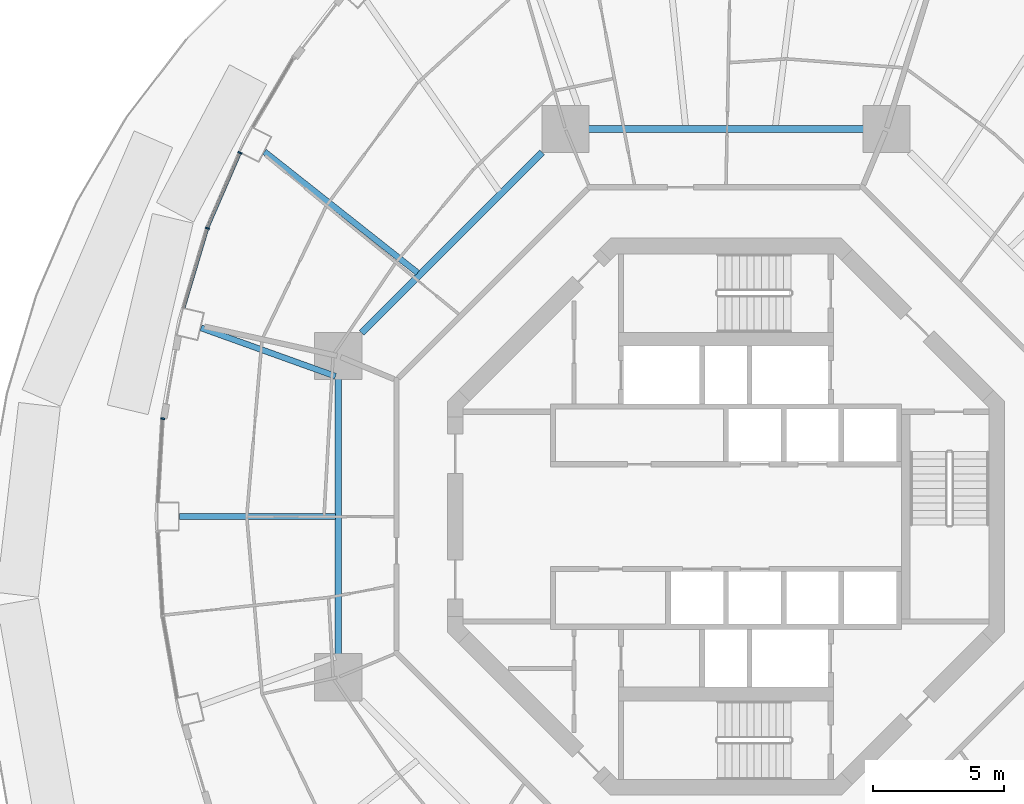
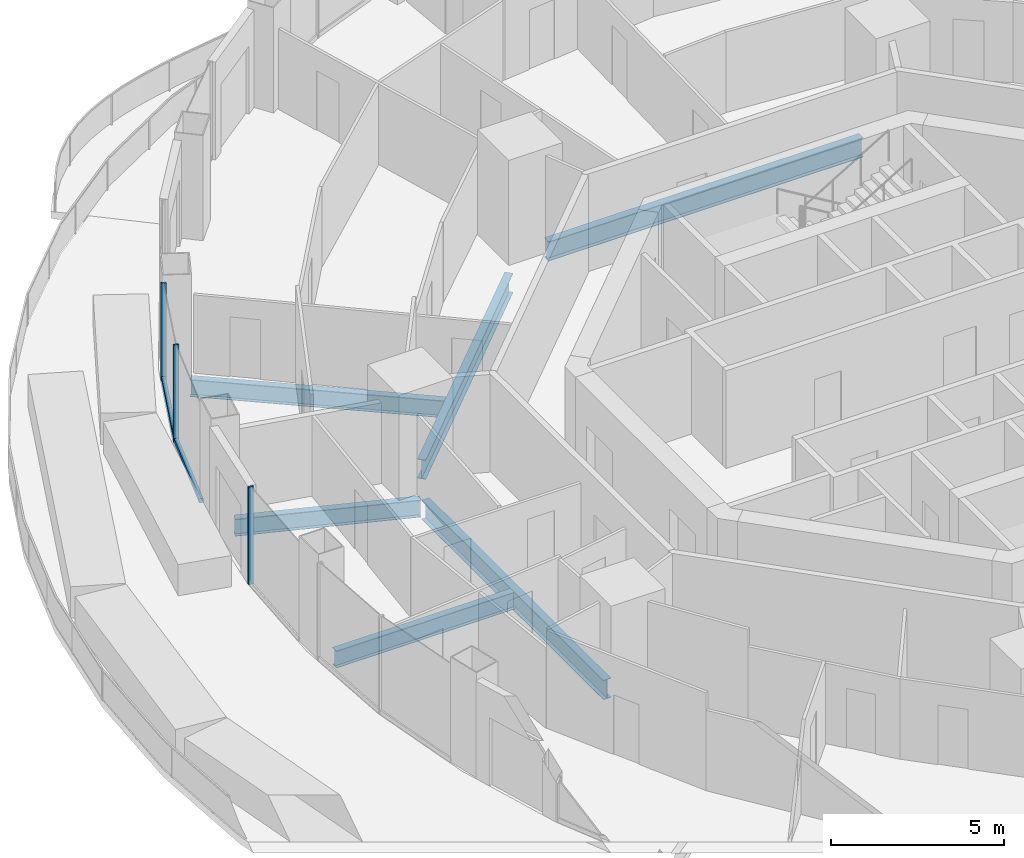
# One storey, part 6 of 20: 6 beams, 5 members, 3 elements without a shape of their own.
"""IFC4 building model written with IfcOpenShell, lengths in metres."""

from ifc_helpers import new_model, si_unit, direction, frame, origin, origin_2d, place, context, subcontext, project, spatial, rectangle, i_section, extrude, material, layer, layer_set, material_profile, profile_set, type_object, element, aggregate, save


model = new_model("IFC4")

# Units and contexts
model_context = context("Model", 3, precision=1e-05, world=origin(), true_north=direction((0.0, 1.0)))
body_context = subcontext(model_context, "Body", "Model", "MODEL_VIEW")
ifc_project = project(units=[si_unit("LENGTHUNIT", "METRE"), si_unit("AREAUNIT", "SQUARE_METRE"), si_unit("VOLUMEUNIT", "CUBIC_METRE"), si_unit("PLANEANGLEUNIT", "RADIAN"), si_unit("MASSUNIT", "GRAM", prefix="KILO")], contexts=[model_context])

# Site, building, storey
site_placement = place(None, origin())
site = spatial("IfcSite", under=ifc_project, at=site_placement, CompositionType="ELEMENT")
building_placement = place(site_placement, origin())
building = spatial("IfcBuilding", under=site, at=building_placement, Name="Nagisa Residences", CompositionType="ELEMENT")
storey_placement = place(building_placement, frame((0.0, 0.0, 165.89990234375)))
storey = spatial("IfcBuildingStorey", under=building, at=storey_placement, Name="L41", CompositionType="ELEMENT", Elevation=165.89990234375)

# Curtain wall, member
ifc_material_1 = material(Name="Concrete-coloured aluminium curtain wall system", Category="concrete")
ifc_layer = layer(ifc_material_1, 0.159912109375)
ifc_layer_set = layer_set([ifc_layer], Name="CW1 CURTAIN WALL")
curtain_wall_type = type_object("IfcCurtainWallType", Name="CW1 CURTAIN WALL", PredefinedType="NOTDEFINED", material=ifc_layer_set)
curtain_wall_1_placement = place(storey_placement, origin())
curtain_wall_1 = element("IfcCurtainWall", 1, at=curtain_wall_1_placement, inside=storey, type_object=curtain_wall_type, Name="cw:CW1:L41:20", PredefinedType="NOTDEFINED")
ifc_material_2 = material(Name="Concrete-coloured aluminium", Category="concrete")
ifc_material_profile_1 = material_profile(ifc_material_2, rectangle(XDim=0.159912109375, YDim=0.06005859375, at=origin_2d()), Name="CW1 MULLION 160x60")
ifc_profile_set_1 = profile_set([ifc_material_profile_1], Name="Concrete-coloured aluminium")
member_type_1 = type_object("IfcMemberType", Name="CW1 MULLION 160x60", PredefinedType="MULLION", material=ifc_profile_set_1)
member_1_placement = place(storey_placement, frame((-18.53271484375, 13.87353515625, 0.0), z_axis=(0.0, 0.0, 1.0), x_axis=(0.917543276295, -0.397635934147, 0.0)))
member_1 = element("IfcMember", 2, at=member_1_placement, type_object=member_type_1, Name="CW1 mullion", PredefinedType="MULLION", context=body_context, shape_type="SweptSolid", body=[
    extrude(rectangle(XDim=0.159912109375, YDim=0.06005859375, at=origin_2d()), origin(), (0.0, 0.0, 1.0), 3.440185546875),
])

curtain_wall_2_placement = place(storey_placement, origin())
curtain_wall_2 = element("IfcCurtainWall", 3, at=curtain_wall_2_placement, inside=storey, type_object=curtain_wall_type, Name="cw:CW1:L41:21", PredefinedType="NOTDEFINED")
member_2_placement = place(storey_placement, frame((-19.775390625, 10.998291015625, 0.0), z_axis=(0.0, 0.0, 1.0), x_axis=(0.958271310082, -0.285860274038, 0.0)))
member_2 = element("IfcMember", 4, at=member_2_placement, type_object=member_type_1, Name="CW1 mullion", PredefinedType="MULLION", context=body_context, shape_type="SweptSolid", body=[
    extrude(rectangle(XDim=0.159912109375, YDim=0.06005859375, at=origin_2d()), origin(), (0.0, 0.0, 1.0), 3.440185546875),
])

curtain_wall_3_placement = place(storey_placement, origin())
curtain_wall_3 = element("IfcCurtainWall", 5, at=curtain_wall_3_placement, inside=storey, type_object=curtain_wall_type, Name="cw:CW1:L41:23", PredefinedType="NOTDEFINED")
member_3_placement = place(storey_placement, frame((-21.479736328125, 3.734375, 0.0), z_axis=(0.0, 0.0, 1.0), x_axis=(0.998345305184, -0.057503492216, 0.0)))
member_3 = element("IfcMember", 6, at=member_3_placement, type_object=member_type_1, Name="CW1 mullion", PredefinedType="MULLION", context=body_context, shape_type="SweptSolid", body=[
    extrude(rectangle(XDim=0.159912109375, YDim=0.06005859375, at=origin_2d()), origin(), (0.0, 0.0, 1.0), 3.440185546875),
])
aggregate(curtain_wall_3, [member_3])

# Member
ifc_material_3 = material(Name="Concrete-coloured aluminium", Category="concrete")
ifc_material_profile_2 = material_profile(ifc_material_3, rectangle(XDim=0.1201171875, YDim=0.14990234375, at=origin_2d()), Name="CW1 TRANSOM 120x150")
ifc_profile_set_2 = profile_set([ifc_material_profile_2], Name="Concrete-coloured aluminium")
member_type_2 = type_object("IfcMemberType", Name="CW1 TRANSOM 120x150", PredefinedType="USERDEFINED", material=ifc_profile_set_2)
member_4_placement = place(storey_placement, frame((-18.520751953125, 13.901123046875, 0.0751953125), z_axis=(-0.397592173732, -0.917562239517, 0.0), x_axis=(0.917562239517, -0.397592173732, 0.0)))
member_4 = element("IfcMember", 7, at=member_4_placement, type_object=member_type_2, Name="CW1 transom", ObjectType="TRANSOM", PredefinedType="USERDEFINED", context=body_context, shape_type="SweptSolid", body=[
    extrude(rectangle(XDim=0.1201171875, YDim=0.14990234375, at=origin_2d()), origin(), (0.0, 0.0, 1.0), 3.14208984375),
])

aggregate(curtain_wall_1, [member_1, member_4])

member_5_placement = place(storey_placement, frame((-19.766845703125, 11.027099609375, 0.0751953125), z_axis=(-0.28584838049, -0.958274857946, 0.0), x_axis=(0.958274857946, -0.28584838049, 0.0)))
member_5 = element("IfcMember", 8, at=member_5_placement, type_object=member_type_2, Name="CW1 transom", ObjectType="TRANSOM", PredefinedType="USERDEFINED", context=body_context, shape_type="SweptSolid", body=[
    extrude(rectangle(XDim=0.1201171875, YDim=0.14990234375, at=origin_2d()), origin(), (0.0, 0.0, 1.0), 3.182373046875),
])

aggregate(curtain_wall_2, [member_2, member_5])

# Beams
ifc_material_4 = material(Name="Steel ASTM A572 Gr 50", Category="steel")
ifc_material_profile_3 = material_profile(ifc_material_4, i_section(OverallWidth=0.25390625, OverallDepth=0.68408203125, WebThickness=0.012451171875, FlangeThickness=0.018798828125, at=origin_2d()), Name="W690x140")
ifc_profile_set_3 = profile_set([ifc_material_profile_3], Name="Steel ASTM A572 Gr 50")
beam_type_1 = type_object("IfcBeamType", Name="Inner ring beam W690x140", PredefinedType="BEAM", material=ifc_profile_set_3)
beam_1_placement = place(storey_placement, frame((5.242919921875, 14.781982421875, -0.601806640625), z_axis=(-1.0, 0.0, 0.0), x_axis=(0.0, -1.0, 0.0)))
element("IfcBeam", 9, at=beam_1_placement, inside=storey, type_object=beam_type_1, Name="beam:L41:ib2", PredefinedType="BEAM", context=body_context, shape_type="SweptSolid", body=[
    extrude(i_section(OverallWidth=0.25390625, OverallDepth=0.68408203125, WebThickness=0.012451171875, FlangeThickness=0.018798828125, at=origin_2d()), origin(), (0.0, 0.0, 1.0), 10.48583984375),
])
beam_2_placement = place(storey_placement, frame((-7.0087890625, 13.896240234375, -0.601806640625), z_axis=(-0.707106781187, -0.707106781187, 0.0), x_axis=(0.707106781187, -0.707106781187, 0.0)))
element("IfcBeam", 10, at=beam_2_placement, inside=storey, type_object=beam_type_1, Name="beam:L41:ib3", PredefinedType="BEAM", context=body_context, shape_type="SweptSolid", body=[
    extrude(i_section(OverallWidth=0.25390625, OverallDepth=0.68408203125, WebThickness=0.012451171875, FlangeThickness=0.018798828125, at=origin_2d()), origin(), (0.0, 0.0, 1.0), 9.740234375),
])
beam_3_placement = place(storey_placement, frame((-14.781982421875, 5.242919921875, -0.601806640625), z_axis=(0.0, -1.0, 0.0), x_axis=(1.0, 0.0, 0.0)))
element("IfcBeam", 11, at=beam_3_placement, inside=storey, type_object=beam_type_1, Name="beam:L41:ib4", PredefinedType="BEAM", context=body_context, shape_type="SweptSolid", body=[
    extrude(i_section(OverallWidth=0.25390625, OverallDepth=0.68408203125, WebThickness=0.012451171875, FlangeThickness=0.018798828125, at=origin_2d()), origin(), (0.0, 0.0, 1.0), 10.48583984375),
])
ifc_material_5 = material(Name="Steel ASTM A572 Gr 50", Category="steel")
ifc_material_profile_4 = material_profile(ifc_material_5, i_section(OverallWidth=0.22802734375, OverallDepth=0.60302734375, WebThickness=0.010498046875, FlangeThickness=0.014892578125, at=origin_2d()), Name="W610x101")
ifc_profile_set_4 = profile_set([ifc_material_profile_4], Name="Steel ASTM A572 Gr 50")
beam_type_2 = type_object("IfcBeamType", Name="Radial beam W610x101", PredefinedType="BEAM", material=ifc_profile_set_4)
beam_4_placement = place(storey_placement, frame((-17.597900390625, 13.9150390625, -0.5615234375), z_axis=(0.784414107292, -0.620237461205, 0.0), x_axis=(0.620237461205, 0.784414107292, 0.0)))
element("IfcBeam", 12, at=beam_4_placement, inside=storey, type_object=beam_type_2, Name="beam:L41:rb11", PredefinedType="BEAM", context=body_context, shape_type="SweptSolid", body=[
    extrude(i_section(OverallWidth=0.22802734375, OverallDepth=0.60302734375, WebThickness=0.010498046875, FlangeThickness=0.014892578125, at=origin_2d()), origin(), (0.0, 0.0, 1.0), 7.4443359375),
])
beam_5_placement = place(storey_placement, frame((-20.02001953125, 7.197509765625, -0.5615234375), z_axis=(0.941034620522, -0.338310276196, 0.0), x_axis=(0.338310276196, 0.941034620522, 0.0)))
element("IfcBeam", 13, at=beam_5_placement, inside=storey, type_object=beam_type_2, Name="beam:L41:rb12", PredefinedType="BEAM", context=body_context, shape_type="SweptSolid", body=[
    extrude(i_section(OverallWidth=0.22802734375, OverallDepth=0.60302734375, WebThickness=0.010498046875, FlangeThickness=0.014892578125, at=origin_2d()), origin(), (0.0, 0.0, 1.0), 5.451416015625),
])
beam_6_placement = place(storey_placement, frame((-20.844970703125, 0.0, -0.5615234375), z_axis=(1.0, 0.0, 0.0), x_axis=(0.0, 1.0, 0.0)))
element("IfcBeam", 14, at=beam_6_placement, inside=storey, type_object=beam_type_2, Name="beam:L41:rb13", PredefinedType="BEAM", context=body_context, shape_type="SweptSolid", body=[
    extrude(i_section(OverallWidth=0.22802734375, OverallDepth=0.60302734375, WebThickness=0.010498046875, FlangeThickness=0.014892578125, at=origin_2d()), origin(), (0.0, 0.0, 1.0), 5.955810546875),
])

save(model, "model.ifc")
